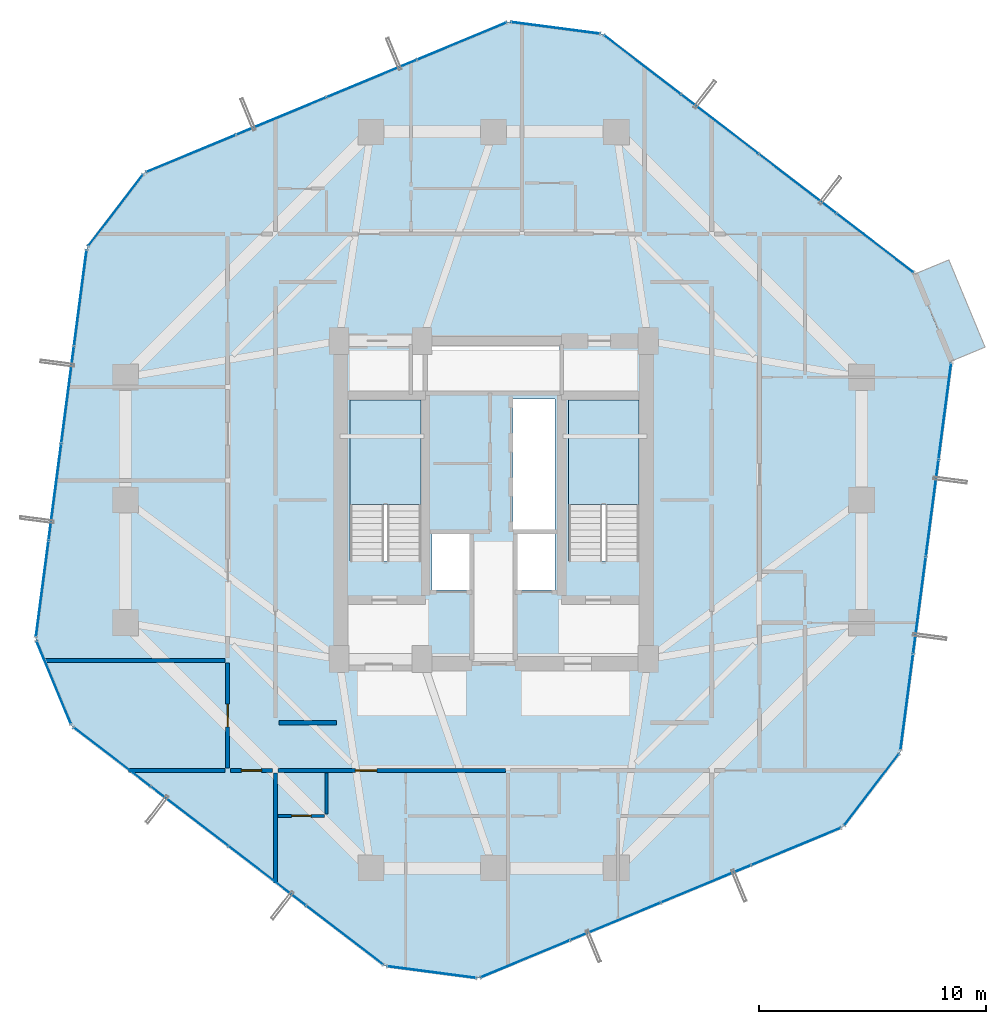
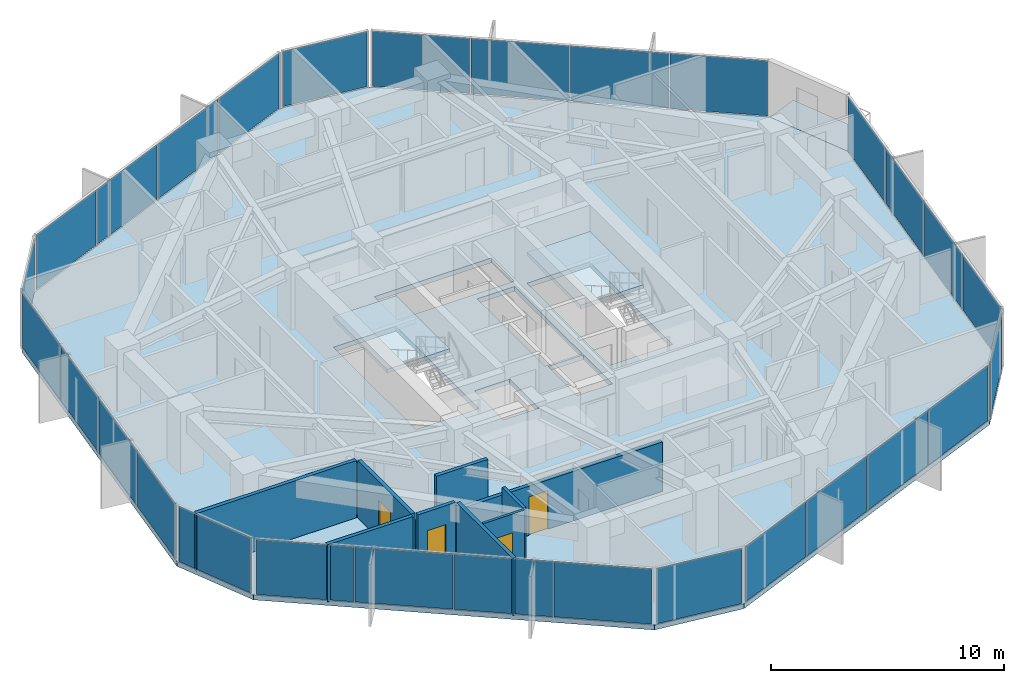
# One storey, part 24 of 30: 29 plates, 9 walls, 4 doors, 4 slabs, 4 openings, 13 elements without a shape of their own.
"""IFC4 building model written with IfcOpenShell, lengths in metres."""

from ifc_helpers import new_model, si_unit, direction, frame, frame_2d, origin, origin_2d, place, context, subcontext, project, spatial, polyline, rectangle, outline, extrude, source, transform, mapped, material, layer, layer_set, type_object, element, fill, aggregate, save


model = new_model("IFC4")

# Units and contexts
model_context = context("Model", 3, precision=1e-05, world=origin(), true_north=direction((0.0, 1.0)))
body_context = subcontext(model_context, "Body", "Model", "MODEL_VIEW")
ifc_project = project(units=[si_unit("LENGTHUNIT", "METRE"), si_unit("AREAUNIT", "SQUARE_METRE"), si_unit("VOLUMEUNIT", "CUBIC_METRE"), si_unit("PLANEANGLEUNIT", "RADIAN"), si_unit("MASSUNIT", "GRAM", prefix="KILO")], contexts=[model_context])

# Site, building, storey
site_placement = place(None, origin())
site = spatial("IfcSite", under=ifc_project, at=site_placement, CompositionType="ELEMENT")
building_placement = place(site_placement, origin())
building = spatial("IfcBuilding", under=site, at=building_placement, Name="Veraguas Prism Commons", CompositionType="ELEMENT")
storey_placement = place(building_placement, frame((0.0, 0.0, 102.449951171875)))
storey = spatial("IfcBuildingStorey", under=building, at=storey_placement, Name="L28", CompositionType="ELEMENT", Elevation=102.449951171875)

# Stair, slab
ifc_material_1 = material(Name="Precast concrete C45/55", Category="concrete")
stair_type = type_object("IfcStairType", Name="Dogleg Core Stair 1480W 20R 05", PredefinedType="HALF_TURN_STAIR", material=ifc_material_1)
stair_1_placement = place(storey_placement, origin())
stair_1 = element("IfcStair", 1, at=stair_1_placement, inside=storey, type_object=stair_type, Name="Protected Exit Stair ST-01 L28", PredefinedType="HALF_TURN_STAIR")
ifc_layer_1 = layer(ifc_material_1, 0.199951171875, Name="Precast Stair and Ramp Landing Slab 200", Category="concrete")
ifc_layer_set_1 = layer_set([ifc_layer_1], Name="Precast concrete C45/55")
slab_type_1 = type_object("IfcSlabType", Name="Precast Stair and Ramp Landing Slab 200", PredefinedType="LANDING", material=ifc_layer_set_1)
slab_1_placement = place(storey_placement, frame((0.0, 0.0, 1.425048828125)))
slab_1 = element("IfcSlab", 2, at=slab_1_placement, type_object=slab_type_1, Name="ST-05 Landing 1", PredefinedType="LANDING", context=body_context, shape_type="SweptSolid", body=[
    extrude(outline(polyline([(20.800048828125, 23.800048828125), (20.800048828125, 28.39990234375), (17.68994140625, 28.39990234375), (17.68994140625, 23.800048828125), (20.800048828125, 23.800048828125)])), origin(), (0.0, 0.0, 1.0), 0.199951171875),
])
aggregate(stair_1, [slab_1])

stair_2_placement = place(storey_placement, origin())
stair_2 = element("IfcStair", 3, at=stair_2_placement, inside=storey, type_object=stair_type, Name="Protected Exit Stair ST-02 L28", PredefinedType="HALF_TURN_STAIR")
slab_2_placement = place(storey_placement, frame((0.0, 0.0, 1.425048828125)))
slab_2 = element("IfcSlab", 4, at=slab_2_placement, type_object=slab_type_1, Name="ST-05 Landing 1", PredefinedType="LANDING", context=body_context, shape_type="SweptSolid", body=[
    extrude(outline(polyline([(30.39990234375, 23.800048828125), (30.39990234375, 28.39990234375), (27.2900390625, 28.39990234375), (27.2900390625, 23.800048828125), (30.39990234375, 23.800048828125)])), origin(), (0.0, 0.0, 1.0), 0.199951171875),
])
aggregate(stair_2, [slab_2])

# Slabs
ifc_material_2 = material(Name="Concrete C45/55", Category="concrete")
ifc_layer_2 = layer(ifc_material_2, 0.219970703125, Name="Recessed Loggia and Terrace Slab RC 220", Category="concrete")
ifc_layer_set_2 = layer_set([ifc_layer_2], Name="Concrete C45/55")
slab_type_2 = type_object("IfcSlabType", Name="Recessed Loggia and Terrace Slab RC 220", PredefinedType="FLOOR", material=ifc_layer_set_2)
slab_3_placement = place(storey_placement, frame((0.0, 0.0, -0.219970703125)))
element("IfcSlab", 5, at=slab_3_placement, inside=storey, type_object=slab_type_2, Name="Recessed Corner Loggia L28-C1", PredefinedType="FLOOR", context=body_context, shape_type="SweptSolid", body=[
    extrude(outline(polyline([(44.128173828125, 30.10546875), (45.62451171875, 30.7265625), (44.032470703125, 34.5625), (42.5361328125, 33.94140625), (44.128173828125, 30.10546875)])), origin(), (0.0, 0.0, 1.0), 0.219970703125),
])
ifc_layer_3 = layer(ifc_material_2, 0.25, Name="Tower Lower Residential Floor Slab RC 250", Category="concrete")
ifc_layer_set_3 = layer_set([ifc_layer_3], Name="Concrete C45/55")
slab_type_3 = type_object("IfcSlabType", Name="Tower Lower Residential Floor Slab RC 250", PredefinedType="FLOOR", material=ifc_layer_set_3)
slab_4_placement = place(storey_placement, frame((0.0, 0.0, -0.25)))
element("IfcSlab", 6, at=slab_4_placement, inside=storey, type_object=slab_type_3, Name="Tower Floor Slab L28", PredefinedType="FLOOR", context=body_context, shape_type="SweptSolid", body=[
    extrude(outline(polyline([(44.146728515625, 30.11328125), (42.5546875, 33.94921875), (28.779296875, 44.504150390625), (24.6611328125, 45.04345703125), (8.632568359375, 38.390869140625), (6.1064453125, 35.09423828125), (3.853271484375, 17.88671875), (5.4453125, 14.05078125), (19.220703125, 3.495849609375), (23.3388671875, 2.95654296875), (39.367431640625, 9.609130859375), (41.8935546875, 12.90576171875), (44.146728515625, 30.11328125)]), holes=[polyline([(20.800048828125, 21.31005859375), (20.800048828125, 28.39990234375), (17.68994140625, 28.39990234375), (17.68994140625, 21.31005859375), (20.800048828125, 21.31005859375)]), polyline([(30.39990234375, 21.31005859375), (30.39990234375, 28.39990234375), (27.2900390625, 28.39990234375), (27.2900390625, 21.31005859375), (30.39990234375, 21.31005859375)]), polyline([(24.85009765625, 22.64990234375), (26.699951171875, 22.64990234375), (26.699951171875, 28.449951171875), (24.85009765625, 28.449951171875), (24.85009765625, 22.64990234375)]), polyline([(21.10009765625, 28.800048828125), (26.89990234375, 28.800048828125), (26.89990234375, 30.800048828125), (21.10009765625, 30.800048828125), (21.10009765625, 28.800048828125)]), polyline([(21.300048828125, 20.050048828125), (23.050048828125, 20.050048828125), (23.050048828125, 22.550048828125), (21.300048828125, 22.550048828125), (21.300048828125, 20.050048828125)]), polyline([(24.949951171875, 20.050048828125), (26.699951171875, 20.050048828125), (26.699951171875, 22.550048828125), (24.949951171875, 22.550048828125), (24.949951171875, 20.050048828125)])]), origin(), (0.0, 0.0, 1.0), 0.25),
])

# Curtain wall, plates
ifc_material_3 = material(Name="Anodised aluminium EN AW-6063 T6", Category="aluminium")
ifc_layer_4 = layer(ifc_material_3, 0.169921875, Name="Unitised Flush Curtain Wall Zone 2", Category="aluminium")
ifc_layer_set_4 = layer_set([ifc_layer_4], Name="Anodised aluminium EN AW-6063 T6")
curtain_wall_type = type_object("IfcCurtainWallType", Name="Unitised Flush Curtain Wall Zone 2", PredefinedType="NOTDEFINED", material=ifc_layer_set_4)
curtain_wall_1_placement = place(storey_placement, origin())
curtain_wall_1 = element("IfcCurtainWall", 7, at=curtain_wall_1_placement, inside=storey, type_object=curtain_wall_type, Name="Tower Facade Curtain Wall L28-F1", PredefinedType="NOTDEFINED")
ifc_material_4 = material(Name="Laminated low-e glass", Category="glass")
ifc_layer_5 = layer(ifc_material_4, 0.028076171875, Name="Unitised Double Low-E Glazed Panel 28", Category="glass")
ifc_layer_set_5 = layer_set([ifc_layer_5], Name="Laminated low-e glass")
plate_type = type_object("IfcPlateType", Name="Unitised Double Low-E Glazed Panel 28", PredefinedType="CURTAIN_PANEL", material=ifc_layer_set_5)
shared_shape_1 = source(origin(), body_context, "Body", "SweptSolid", [
    extrude(rectangle(XDim=4.218505859375, YDim=0.028076171875, at=origin_2d()), origin(), (0.0, 0.0, 1.0), 2.889892578125),
])
plate_1_placement = place(storey_placement, frame((40.78515625, 35.304931640625, 0.05517578125), z_axis=(0.0, 0.0, 1.0), x_axis=(-0.793778142573, 0.608207415585, 0.0)))
plate_1 = element("IfcPlate", 8, at=plate_1_placement, type_object=plate_type, Name="CW-Z2 Panel 1.1", PredefinedType="CURTAIN_PANEL", context=body_context, shape_type="MappedRepresentation", body=[
    mapped(shared_shape_1, transform((0.0, 0.0, 0.0), scale=1.0)),
])
plate_2_placement = place(storey_placement, frame((30.548828125, 43.148193359375, 0.05517578125), z_axis=(0.0, 0.0, 1.0), x_axis=(-0.793778142573, 0.608207415585, 0.0)))
plate_2 = element("IfcPlate", 9, at=plate_2_placement, type_object=plate_type, Name="CW-Z2 Panel 4.1", PredefinedType="CURTAIN_PANEL", context=body_context, shape_type="MappedRepresentation", body=[
    mapped(shared_shape_1, transform((0.0, 0.0, 0.0), scale=1.0)),
])

curtain_wall_2_placement = place(storey_placement, origin())
curtain_wall_2 = element("IfcCurtainWall", 10, at=curtain_wall_2_placement, inside=storey, type_object=curtain_wall_type, Name="Tower Facade Curtain Wall L28-F2", PredefinedType="NOTDEFINED")
plate_3_placement = place(storey_placement, frame((22.602294921875, 44.188720703125, 0.05517578125), z_axis=(0.0, 0.0, 1.0), x_axis=(-0.92361080588, -0.383331552657, 0.0)))
plate_3 = element("IfcPlate", 11, at=plate_3_placement, type_object=plate_type, Name="CW-Z2 Panel 1.1", PredefinedType="CURTAIN_PANEL", context=body_context, shape_type="MappedRepresentation", body=[
    mapped(shared_shape_1, transform((0.0, 0.0, 0.0), scale=1.0)),
])
plate_4_placement = place(storey_placement, frame((10.69140625, 39.245361328125, 0.05517578125), z_axis=(0.0, 0.0, 1.0), x_axis=(-0.92361080588, -0.383331552657, 0.0)))
plate_4 = element("IfcPlate", 12, at=plate_4_placement, type_object=plate_type, Name="CW-Z2 Panel 4.1", PredefinedType="CURTAIN_PANEL", context=body_context, shape_type="MappedRepresentation", body=[
    mapped(shared_shape_1, transform((0.0, 0.0, 0.0), scale=1.0)),
])

curtain_wall_3_placement = place(storey_placement, origin())
curtain_wall_3 = element("IfcCurtainWall", 13, at=curtain_wall_3_placement, inside=storey, type_object=curtain_wall_type, Name="Tower Facade Curtain Wall L28-F3", PredefinedType="NOTDEFINED")
plate_5_placement = place(storey_placement, frame((5.817138671875, 32.8837890625, 0.05517578125), z_axis=(0.0, 0.0, 1.0), x_axis=(-0.129834001381, -0.99153574423, 0.0)))
plate_5 = element("IfcPlate", 14, at=plate_5_placement, type_object=plate_type, Name="CW-Z2 Panel 1.1", PredefinedType="CURTAIN_PANEL", context=body_context, shape_type="MappedRepresentation", body=[
    mapped(shared_shape_1, transform((0.0, 0.0, 0.0), scale=1.0)),
])
plate_6_placement = place(storey_placement, frame((4.142822265625, 20.09716796875, 0.05517578125), z_axis=(0.0, 0.0, 1.0), x_axis=(-0.129834001381, -0.99153574423, 0.0)))
plate_6 = element("IfcPlate", 15, at=plate_6_placement, type_object=plate_type, Name="CW-Z2 Panel 4.1", PredefinedType="CURTAIN_PANEL", context=body_context, shape_type="MappedRepresentation", body=[
    mapped(shared_shape_1, transform((0.0, 0.0, 0.0), scale=1.0)),
])

curtain_wall_4_placement = place(storey_placement, origin())
curtain_wall_4 = element("IfcCurtainWall", 16, at=curtain_wall_4_placement, inside=storey, type_object=curtain_wall_type, Name="Tower Facade Curtain Wall L28-F4", PredefinedType="NOTDEFINED")
plate_7_placement = place(storey_placement, frame((7.21484375, 12.695068359375, 0.05517578125), z_axis=(0.0, 0.0, 1.0), x_axis=(0.793778142573, -0.608207415585, 0.0)))
plate_7 = element("IfcPlate", 17, at=plate_7_placement, type_object=plate_type, Name="CW-Z2 Panel 1.1", PredefinedType="CURTAIN_PANEL", context=body_context, shape_type="MappedRepresentation", body=[
    mapped(shared_shape_1, transform((0.0, 0.0, 0.0), scale=1.0)),
])
plate_8_placement = place(storey_placement, frame((17.451171875, 4.851806640625, 0.05517578125), z_axis=(0.0, 0.0, 1.0), x_axis=(0.793778142573, -0.608207415585, 0.0)))
plate_8 = element("IfcPlate", 18, at=plate_8_placement, type_object=plate_type, Name="CW-Z2 Panel 4.1", PredefinedType="CURTAIN_PANEL", context=body_context, shape_type="MappedRepresentation", body=[
    mapped(shared_shape_1, transform((0.0, 0.0, 0.0), scale=1.0)),
])

curtain_wall_5_placement = place(storey_placement, origin())
curtain_wall_5 = element("IfcCurtainWall", 19, at=curtain_wall_5_placement, inside=storey, type_object=curtain_wall_type, Name="Tower Facade Curtain Wall L28-F5", PredefinedType="NOTDEFINED")
plate_9_placement = place(storey_placement, frame((25.397705078125, 3.811279296875, 0.05517578125), z_axis=(0.0, 0.0, 1.0), x_axis=(0.92361080588, 0.383331552657, 0.0)))
plate_9 = element("IfcPlate", 20, at=plate_9_placement, type_object=plate_type, Name="CW-Z2 Panel 1.1", PredefinedType="CURTAIN_PANEL", context=body_context, shape_type="MappedRepresentation", body=[
    mapped(shared_shape_1, transform((0.0, 0.0, 0.0), scale=1.0)),
])
plate_10_placement = place(storey_placement, frame((37.30859375, 8.754638671875, 0.05517578125), z_axis=(0.0, 0.0, 1.0), x_axis=(0.92361080588, 0.383331552657, 0.0)))
plate_10 = element("IfcPlate", 21, at=plate_10_placement, type_object=plate_type, Name="CW-Z2 Panel 4.1", PredefinedType="CURTAIN_PANEL", context=body_context, shape_type="MappedRepresentation", body=[
    mapped(shared_shape_1, transform((0.0, 0.0, 0.0), scale=1.0)),
])

curtain_wall_6_placement = place(storey_placement, origin())
curtain_wall_6 = element("IfcCurtainWall", 22, at=curtain_wall_6_placement, inside=storey, type_object=curtain_wall_type, Name="Tower Facade Curtain Wall L28-F6", PredefinedType="NOTDEFINED")
plate_11_placement = place(storey_placement, frame((42.182861328125, 15.1162109375, 0.05517578125), z_axis=(0.0, 0.0, 1.0), x_axis=(0.129834001381, 0.99153574423, 0.0)))
plate_11 = element("IfcPlate", 23, at=plate_11_placement, type_object=plate_type, Name="CW-Z2 Panel 1.1", PredefinedType="CURTAIN_PANEL", context=body_context, shape_type="MappedRepresentation", body=[
    mapped(shared_shape_1, transform((0.0, 0.0, 0.0), scale=1.0)),
])
plate_12_placement = place(storey_placement, frame((43.857177734375, 27.90283203125, 0.05517578125), z_axis=(0.0, 0.0, 1.0), x_axis=(0.129834001381, 0.99153574423, 0.0)))
plate_12 = element("IfcPlate", 24, at=plate_12_placement, type_object=plate_type, Name="CW-Z2 Panel 4.1", PredefinedType="CURTAIN_PANEL", context=body_context, shape_type="MappedRepresentation", body=[
    mapped(shared_shape_1, transform((0.0, 0.0, 0.0), scale=1.0)),
])

# Plate
shared_shape_2 = source(origin(), body_context, "Body", "SweptSolid", [
    extrude(rectangle(XDim=4.24853515625, YDim=0.028076171875, at=origin_2d()), origin(), (0.0, 0.0, 1.0), 2.889892578125),
])
plate_13_placement = place(storey_placement, frame((37.376953125, 37.91650390625, 0.05517578125), z_axis=(0.0, 0.0, 1.0), x_axis=(-0.793778142573, 0.608207415585, 0.0)))
plate_13 = element("IfcPlate", 25, at=plate_13_placement, type_object=plate_type, Name="CW-Z2 Panel 2.1", PredefinedType="CURTAIN_PANEL", context=body_context, shape_type="MappedRepresentation", body=[
    mapped(shared_shape_2, transform((0.0, 0.0, 0.0), scale=1.0)),
])

plate_14_placement = place(storey_placement, frame((33.95703125, 40.536865234375, 0.05517578125), z_axis=(0.0, 0.0, 1.0), x_axis=(-0.793778142573, 0.608207415585, 0.0)))
plate_14 = element("IfcPlate", 26, at=plate_14_placement, type_object=plate_type, Name="CW-Z2 Panel 3.1", PredefinedType="CURTAIN_PANEL", context=body_context, shape_type="MappedRepresentation", body=[
    mapped(shared_shape_2, transform((0.0, 0.0, 0.0), scale=1.0)),
])

aggregate(curtain_wall_1, [plate_1, plate_13, plate_14, plate_2])

plate_15_placement = place(storey_placement, frame((18.636474609375, 42.54296875, 0.05517578125), z_axis=(0.0, 0.0, 1.0), x_axis=(-0.92361080588, -0.383331552657, 0.0)))
plate_15 = element("IfcPlate", 27, at=plate_15_placement, type_object=plate_type, Name="CW-Z2 Panel 2.1", PredefinedType="CURTAIN_PANEL", context=body_context, shape_type="MappedRepresentation", body=[
    mapped(shared_shape_2, transform((0.0, 0.0, 0.0), scale=1.0)),
])

plate_16_placement = place(storey_placement, frame((14.6572265625, 40.891357421875, 0.05517578125), z_axis=(0.0, 0.0, 1.0), x_axis=(-0.92361080588, -0.383331552657, 0.0)))
plate_16 = element("IfcPlate", 28, at=plate_16_placement, type_object=plate_type, Name="CW-Z2 Panel 3.1", PredefinedType="CURTAIN_PANEL", context=body_context, shape_type="MappedRepresentation", body=[
    mapped(shared_shape_2, transform((0.0, 0.0, 0.0), scale=1.0)),
])

aggregate(curtain_wall_2, [plate_3, plate_15, plate_16, plate_4])

plate_17_placement = place(storey_placement, frame((5.259521484375, 28.626708984375, 0.05517578125), z_axis=(0.0, 0.0, 1.0), x_axis=(-0.129834001381, -0.99153574423, 0.0)))
plate_17 = element("IfcPlate", 29, at=plate_17_placement, type_object=plate_type, Name="CW-Z2 Panel 2.1", PredefinedType="CURTAIN_PANEL", context=body_context, shape_type="MappedRepresentation", body=[
    mapped(shared_shape_2, transform((0.0, 0.0, 0.0), scale=1.0)),
])

plate_18_placement = place(storey_placement, frame((4.7001953125, 24.3544921875, 0.05517578125), z_axis=(0.0, 0.0, 1.0), x_axis=(-0.129834001381, -0.99153574423, 0.0)))
plate_18 = element("IfcPlate", 30, at=plate_18_placement, type_object=plate_type, Name="CW-Z2 Panel 3.1", PredefinedType="CURTAIN_PANEL", context=body_context, shape_type="MappedRepresentation", body=[
    mapped(shared_shape_2, transform((0.0, 0.0, 0.0), scale=1.0)),
])

aggregate(curtain_wall_3, [plate_5, plate_17, plate_18, plate_6])

plate_19_placement = place(storey_placement, frame((10.623046875, 10.08349609375, 0.05517578125), z_axis=(0.0, 0.0, 1.0), x_axis=(0.793778142573, -0.608207415585, 0.0)))
plate_19 = element("IfcPlate", 31, at=plate_19_placement, type_object=plate_type, Name="CW-Z2 Panel 2.1", PredefinedType="CURTAIN_PANEL", context=body_context, shape_type="MappedRepresentation", body=[
    mapped(shared_shape_2, transform((0.0, 0.0, 0.0), scale=1.0)),
])

plate_20_placement = place(storey_placement, frame((14.04296875, 7.463134765625, 0.05517578125), z_axis=(0.0, 0.0, 1.0), x_axis=(0.793778142573, -0.608207415585, 0.0)))
plate_20 = element("IfcPlate", 32, at=plate_20_placement, type_object=plate_type, Name="CW-Z2 Panel 3.1", PredefinedType="CURTAIN_PANEL", context=body_context, shape_type="MappedRepresentation", body=[
    mapped(shared_shape_2, transform((0.0, 0.0, 0.0), scale=1.0)),
])

aggregate(curtain_wall_4, [plate_7, plate_19, plate_20, plate_8])

plate_21_placement = place(storey_placement, frame((29.363525390625, 5.45703125, 0.05517578125), z_axis=(0.0, 0.0, 1.0), x_axis=(0.92361080588, 0.383331552657, 0.0)))
plate_21 = element("IfcPlate", 33, at=plate_21_placement, type_object=plate_type, Name="CW-Z2 Panel 2.1", PredefinedType="CURTAIN_PANEL", context=body_context, shape_type="MappedRepresentation", body=[
    mapped(shared_shape_2, transform((0.0, 0.0, 0.0), scale=1.0)),
])

plate_22_placement = place(storey_placement, frame((33.3427734375, 7.108642578125, 0.05517578125), z_axis=(0.0, 0.0, 1.0), x_axis=(0.92361080588, 0.383331552657, 0.0)))
plate_22 = element("IfcPlate", 34, at=plate_22_placement, type_object=plate_type, Name="CW-Z2 Panel 3.1", PredefinedType="CURTAIN_PANEL", context=body_context, shape_type="MappedRepresentation", body=[
    mapped(shared_shape_2, transform((0.0, 0.0, 0.0), scale=1.0)),
])

aggregate(curtain_wall_5, [plate_9, plate_21, plate_22, plate_10])

plate_23_placement = place(storey_placement, frame((42.740478515625, 19.373291015625, 0.05517578125), z_axis=(0.0, 0.0, 1.0), x_axis=(0.129834001381, 0.99153574423, 0.0)))
plate_23 = element("IfcPlate", 35, at=plate_23_placement, type_object=plate_type, Name="CW-Z2 Panel 2.1", PredefinedType="CURTAIN_PANEL", context=body_context, shape_type="MappedRepresentation", body=[
    mapped(shared_shape_2, transform((0.0, 0.0, 0.0), scale=1.0)),
])

plate_24_placement = place(storey_placement, frame((43.2998046875, 23.6455078125, 0.05517578125), z_axis=(0.0, 0.0, 1.0), x_axis=(0.129834001381, 0.99153574423, 0.0)))
plate_24 = element("IfcPlate", 36, at=plate_24_placement, type_object=plate_type, Name="CW-Z2 Panel 3.1", PredefinedType="CURTAIN_PANEL", context=body_context, shape_type="MappedRepresentation", body=[
    mapped(shared_shape_2, transform((0.0, 0.0, 0.0), scale=1.0)),
])

aggregate(curtain_wall_6, [plate_11, plate_23, plate_24, plate_12])

# Curtain wall, plate
curtain_wall_7_placement = place(storey_placement, origin())
curtain_wall_7 = element("IfcCurtainWall", 37, at=curtain_wall_7_placement, inside=storey, type_object=curtain_wall_type, Name="Chamfer Curtain Wall L28-C2", PredefinedType="NOTDEFINED")
shared_shape_3 = source(origin(), body_context, "Body", "SweptSolid", [
    extrude(rectangle(XDim=3.9130859375, YDim=0.028076171875, at=origin_2d()), origin(), (0.0, 0.0, 1.0), 2.889892578125),
])
plate_25_placement = place(storey_placement, frame((26.72021484375, 44.773681640625, 0.05517578125), z_axis=(0.0, 0.0, 1.0), x_axis=(-0.991536877208, 0.129825348594, 0.0)))
plate_25 = element("IfcPlate", 38, at=plate_25_placement, type_object=plate_type, Name="CW-Z2 Panel 1.1", PredefinedType="CURTAIN_PANEL", context=body_context, shape_type="MappedRepresentation", body=[
    mapped(shared_shape_3, transform((0.0, 0.0, 0.0), scale=1.0)),
])
aggregate(curtain_wall_7, [plate_25])

curtain_wall_8_placement = place(storey_placement, origin())
curtain_wall_8 = element("IfcCurtainWall", 39, at=curtain_wall_8_placement, inside=storey, type_object=curtain_wall_type, Name="Chamfer Curtain Wall L28-C3", PredefinedType="NOTDEFINED")
plate_26_placement = place(storey_placement, frame((7.369384765625, 36.74267578125, 0.05517578125), z_axis=(0.0, 0.0, 1.0), x_axis=(-0.60821157179, -0.793774957996, 0.0)))
plate_26 = element("IfcPlate", 40, at=plate_26_placement, type_object=plate_type, Name="CW-Z2 Panel 1.1", PredefinedType="CURTAIN_PANEL", context=body_context, shape_type="MappedRepresentation", body=[
    mapped(shared_shape_3, transform((0.0, 0.0, 0.0), scale=1.0)),
])
aggregate(curtain_wall_8, [plate_26])

curtain_wall_9_placement = place(storey_placement, origin())
curtain_wall_9 = element("IfcCurtainWall", 41, at=curtain_wall_9_placement, inside=storey, type_object=curtain_wall_type, Name="Chamfer Curtain Wall L28-C4", PredefinedType="NOTDEFINED")
plate_27_placement = place(storey_placement, frame((4.6494140625, 15.96875, 0.05517578125), z_axis=(0.0, 0.0, 1.0), x_axis=(0.383320268593, -0.923615489089, 0.0)))
plate_27 = element("IfcPlate", 42, at=plate_27_placement, type_object=plate_type, Name="CW-Z2 Panel 1.1", PredefinedType="CURTAIN_PANEL", context=body_context, shape_type="MappedRepresentation", body=[
    mapped(shared_shape_3, transform((0.0, 0.0, 0.0), scale=1.0)),
])
aggregate(curtain_wall_9, [plate_27])

curtain_wall_10_placement = place(storey_placement, origin())
curtain_wall_10 = element("IfcCurtainWall", 43, at=curtain_wall_10_placement, inside=storey, type_object=curtain_wall_type, Name="Chamfer Curtain Wall L28-C5", PredefinedType="NOTDEFINED")
plate_28_placement = place(storey_placement, frame((21.27978515625, 3.226318359375, 0.05517578125), z_axis=(0.0, 0.0, 1.0), x_axis=(0.991536877208, -0.129825348594, 0.0)))
plate_28 = element("IfcPlate", 44, at=plate_28_placement, type_object=plate_type, Name="CW-Z2 Panel 1.1", PredefinedType="CURTAIN_PANEL", context=body_context, shape_type="MappedRepresentation", body=[
    mapped(shared_shape_3, transform((0.0, 0.0, 0.0), scale=1.0)),
])
aggregate(curtain_wall_10, [plate_28])

curtain_wall_11_placement = place(storey_placement, origin())
curtain_wall_11 = element("IfcCurtainWall", 45, at=curtain_wall_11_placement, inside=storey, type_object=curtain_wall_type, Name="Chamfer Curtain Wall L28-C6", PredefinedType="NOTDEFINED")
plate_29_placement = place(storey_placement, frame((40.630615234375, 11.25732421875, 0.05517578125), z_axis=(0.0, 0.0, 1.0), x_axis=(0.60821157179, 0.793774957996, 0.0)))
plate_29 = element("IfcPlate", 46, at=plate_29_placement, type_object=plate_type, Name="CW-Z2 Panel 1.1", PredefinedType="CURTAIN_PANEL", context=body_context, shape_type="MappedRepresentation", body=[
    mapped(shared_shape_3, transform((0.0, 0.0, 0.0), scale=1.0)),
])
aggregate(curtain_wall_11, [plate_29])

# Walls
ifc_material_5 = material(Name="Autoclaved aerated masonry block 10 MPa", Category="masonry")
ifc_layer_6 = layer(ifc_material_5, 0.179931640625, Name="Corridor and Inter-Tenancy Partition 180", Category="masonry")
ifc_layer_set_6 = layer_set([ifc_layer_6], Name="Autoclaved aerated masonry block 10 MPa")
wall_type_1 = type_object("IfcWallType", Name="Corridor and Inter-Tenancy Partition 180", PredefinedType="PARTITIONING", material=ifc_layer_set_6)
wall_1_placement = place(storey_placement, frame((14.550048828125, 14.199951171875, 0.0), z_axis=(0.0, 0.0, 1.0), x_axis=(1.0, 0.0, 0.0)))
element("IfcWall", 47, at=wall_1_placement, inside=storey, type_object=wall_type_1, Name="WL-L28-IRWS", PredefinedType="PARTITIONING", context=body_context, shape_type="SweptSolid", body=[
    extrude(rectangle(XDim=2.550048828125, YDim=0.179931640625, at=frame_2d((1.27490234375, 0.0))), origin(), (0.0, 0.0, 1.0), 3.0),
])
wall_2_placement = place(storey_placement, frame((14.39990234375, 11.97998046875, 0.0), z_axis=(0.0, 0.0, 1.0), x_axis=(0.0, -1.0, 0.0)))
element("IfcWall", 48, at=wall_2_placement, inside=storey, type_object=wall_type_1, Name="WL-L28-PT001", PredefinedType="PARTITIONING", context=body_context, shape_type="SweptSolid", body=[
    extrude(rectangle(XDim=4.828125, YDim=0.179931640625, at=frame_2d((2.4140625, 0.0))), origin(), (0.0, 0.0, 1.0), 3.0),
])

# Wall, opening, door
wall_3_placement = place(storey_placement, frame((14.510009765625, 12.10009765625, 0.0), z_axis=(0.0, 0.0, 1.0), x_axis=(1.0, 0.0, 0.0)))
wall_3 = element("IfcWall", 49, at=wall_3_placement, inside=storey, type_object=wall_type_1, Name="WL-L28-PT003", PredefinedType="PARTITIONING", context=body_context, shape_type="SweptSolid", body=[
    extrude(rectangle(XDim=10.02392578125, YDim=0.179931640625, at=frame_2d((5.011962890625, 0.0))), origin(), (0.0, 0.0, 1.0), 2.580078125),
])
opening_1_placement = place(wall_3_placement, frame((3.408447265625, 0.0, 0.0)))
opening_1 = element("IfcOpeningElement", 50, at=opening_1_placement, cuts=wall_3, Name="Opening DR-01", PredefinedType="OPENING", context=body_context, shape_type="SweptSolid", body=[
    extrude(rectangle(XDim=0.949951171875, YDim=2.02001953125, at=frame_2d((0.47509765625, 1.010009765625))), frame((0.0, 0.099853515625, 0.0), z_axis=(0.0, -1.0, 0.0), x_axis=(1.0, 0.0, 0.0)), (0.0, 0.0, 1.0), 0.199951171875),
])
door_type_1 = type_object("IfcDoorType", Name="Apartment Entrance Fire Door 950x2020", OperationType="NOTDEFINED", PredefinedType="DOOR", material=ifc_material_3)
shared_shape_4 = source(origin(), body_context, "Body", "SweptSolid", [
    extrude(rectangle(XDim=0.949951171875, YDim=2.02001953125, at=frame_2d((0.47509765625, 1.010009765625))), frame((0.0, 0.02490234375, 0.0), z_axis=(0.0, -1.0, 0.0), x_axis=(1.0, 0.0, 0.0)), (0.0, 0.0, 1.0), 0.050048828125),
])
door_1_placement = place(opening_1_placement, origin())
door_1 = element("IfcDoor", 51, at=door_1_placement, inside=storey, type_object=door_type_1, Name="Flat 28A Entrance Door", OperationType="SINGLE_SWING_RIGHT", OverallHeight=2.02001953125, OverallWidth=0.949951171875, PredefinedType="DOOR", context=body_context, shape_type="MappedRepresentation", body=[
    mapped(shared_shape_4, transform((0.0, 0.0, 0.0), scale=1.0)),
])
fill(opening_1, door_1)

# Wall
wall_4_placement = place(storey_placement, frame((12.179931640625, 12.10009765625, 0.0), z_axis=(0.0, 0.0, 1.0), x_axis=(-1.0, 0.0, 0.0)))
element("IfcWall", 52, at=wall_4_placement, inside=storey, type_object=wall_type_1, Name="WL-L28-PT030", PredefinedType="PARTITIONING", context=body_context, shape_type="SweptSolid", body=[
    extrude(rectangle(XDim=4.23779296875, YDim=0.179931640625, at=frame_2d((2.118896484375, 0.0))), origin(), (0.0, 0.0, 1.0), 3.0),
])

# Wall, opening, door
wall_5_placement = place(storey_placement, frame((12.300048828125, 12.2099609375, 0.0), z_axis=(0.0, 0.0, 1.0), x_axis=(0.0, 1.0, 0.0)))
wall_5 = element("IfcWall", 53, at=wall_5_placement, inside=storey, type_object=wall_type_1, Name="WL-L28-PT032", PredefinedType="PARTITIONING", context=body_context, shape_type="SweptSolid", body=[
    extrude(rectangle(XDim=4.6259765625, YDim=0.179931640625, at=frame_2d((2.31298828125, 0.0))), origin(), (0.0, 0.0, 1.0), 3.0),
])
opening_2_placement = place(wall_5_placement, frame((1.81298828125, 0.0, 0.0)))
opening_2 = element("IfcOpeningElement", 54, at=opening_2_placement, cuts=wall_5, Name="Opening DR-13", PredefinedType="OPENING", context=body_context, shape_type="SweptSolid", body=[
    extrude(rectangle(XDim=1.0, YDim=2.010009765625, at=frame_2d((0.5, 1.0048828125))), frame((0.0, 0.099853515625, 0.0), z_axis=(0.0, -1.0, 0.0), x_axis=(1.0, 0.0, 0.0)), (0.0, 0.0, 1.0), 0.199951171875),
])
ifc_material_6 = material(Name="Steel fire-rated door assembly", Category="steel")
door_type_2 = type_object("IfcDoorType", Name="Core Accessible WC and Clinic Fire Door 1000x2010", OperationType="NOTDEFINED", PredefinedType="DOOR", material=ifc_material_6)
shared_shape_5 = source(origin(), body_context, "Body", "SweptSolid", [
    extrude(rectangle(XDim=1.0, YDim=2.010009765625, at=frame_2d((0.5, 1.0048828125))), frame((0.0, 0.02490234375, 0.0), z_axis=(0.0, -1.0, 0.0), x_axis=(1.0, 0.0, 0.0)), (0.0, 0.0, 1.0), 0.050048828125),
])
door_2_placement = place(opening_2_placement, origin())
door_2 = element("IfcDoor", 55, at=door_2_placement, inside=storey, type_object=door_type_2, Name="Residents Study Room Door", OperationType="SINGLE_SWING_LEFT", OverallHeight=2.010009765625, OverallWidth=1.0, PredefinedType="DOOR", context=body_context, shape_type="MappedRepresentation", body=[
    mapped(shared_shape_5, transform((0.0, 0.0, 0.0), scale=1.0)),
])
fill(opening_2, door_2)

# Wall
wall_6_placement = place(storey_placement, frame((12.179931640625, 16.946044921875, 0.0), z_axis=(0.0, 0.0, 1.0), x_axis=(-1.0, 0.0, 0.0)))
element("IfcWall", 56, at=wall_6_placement, inside=storey, type_object=wall_type_1, Name="WL-L28-PT034", PredefinedType="PARTITIONING", context=body_context, shape_type="SweptSolid", body=[
    extrude(rectangle(XDim=7.96875, YDim=0.179931640625, at=frame_2d((3.984375, 0.0))), origin(), (0.0, 0.0, 1.0), 3.0),
])

# Wall, opening, door
wall_7_placement = place(storey_placement, frame((12.419921875, 12.10009765625, 0.0), z_axis=(0.0, 0.0, 1.0), x_axis=(1.0, 0.0, 0.0)))
wall_7 = element("IfcWall", 57, at=wall_7_placement, inside=storey, type_object=wall_type_1, Name="WL-L28-PT051", PredefinedType="PARTITIONING", context=body_context, shape_type="SweptSolid", body=[
    extrude(rectangle(XDim=1.860107421875, YDim=0.179931640625, at=frame_2d((0.93017578125, 0.0))), origin(), (0.0, 0.0, 1.0), 3.0),
])
opening_3_placement = place(wall_7_placement, frame((0.47998046875, 0.0, 0.0)))
opening_3 = element("IfcOpeningElement", 58, at=opening_3_placement, cuts=wall_7, Name="Opening DR-14", PredefinedType="OPENING", context=body_context, shape_type="SweptSolid", body=[
    extrude(rectangle(XDim=0.89990234375, YDim=2.010009765625, at=frame_2d((0.449951171875, 1.0048828125))), frame((0.0, 0.099853515625, 0.0), z_axis=(0.0, -1.0, 0.0), x_axis=(1.0, 0.0, 0.0)), (0.0, 0.0, 1.0), 0.199951171875),
])
door_type_3 = type_object("IfcDoorType", Name="Core Service Room Fire Door 900x2010", OperationType="NOTDEFINED", PredefinedType="DOOR", material=ifc_material_6)
shared_shape_6 = source(origin(), body_context, "Body", "SweptSolid", [
    extrude(rectangle(XDim=0.89990234375, YDim=2.010009765625, at=frame_2d((0.449951171875, 1.0048828125))), frame((0.0, 0.02490234375, 0.0), z_axis=(0.0, -1.0, 0.0), x_axis=(1.0, 0.0, 0.0)), (0.0, 0.0, 1.0), 0.050048828125),
])
door_3_placement = place(opening_3_placement, origin())
door_3 = element("IfcDoor", 59, at=door_3_placement, inside=storey, type_object=door_type_3, Name="Residents Corner Study Room SW Door", OperationType="SINGLE_SWING_LEFT", OverallHeight=2.010009765625, OverallWidth=0.89990234375, PredefinedType="DOOR", context=body_context, shape_type="MappedRepresentation", body=[
    mapped(shared_shape_6, transform((0.0, 0.0, 0.0), scale=1.0)),
])
fill(opening_3, door_3)

ifc_material_7 = material(Name="Lightweight acoustic gypsum board")
ifc_layer_7 = layer(ifc_material_7, 0.125, Name="Internal Apartment Room Partition 125")
ifc_layer_set_7 = layer_set([ifc_layer_7], Name="Lightweight acoustic gypsum board")
wall_type_2 = type_object("IfcWallType", Name="Internal Apartment Room Partition 125", PredefinedType="PARTITIONING", material=ifc_layer_set_7)
wall_8_placement = place(storey_placement, frame((14.52001953125, 10.10009765625, 0.0), z_axis=(0.0, 0.0, 1.0), x_axis=(1.0, 0.0, 0.0)))
wall_8 = element("IfcWall", 60, at=wall_8_placement, inside=storey, type_object=wall_type_2, Name="WL-L28-PT005", PredefinedType="PARTITIONING", context=body_context, shape_type="SweptSolid", body=[
    extrude(rectangle(XDim=2.050048828125, YDim=0.125, at=frame_2d((1.02490234375, 0.0))), origin(), (0.0, 0.0, 1.0), 3.0),
])
opening_4_placement = place(wall_8_placement, frame((0.594970703125, 0.0, 0.0)))
opening_4 = element("IfcOpeningElement", 61, at=opening_4_placement, cuts=wall_8, Name="Opening DR-03", PredefinedType="OPENING", context=body_context, shape_type="SweptSolid", body=[
    extrude(rectangle(XDim=0.860107421875, YDim=2.010009765625, at=frame_2d((0.43017578125, 1.0048828125))), frame((0.0, 0.072509765625, 0.0), z_axis=(0.0, -1.0, 0.0), x_axis=(1.0, 0.0, 0.0)), (0.0, 0.0, 1.0), 0.14501953125),
])
ifc_material_8 = material(Name="Timber moisture-resistant leaf", Category="wood")
door_type_4 = type_object("IfcDoorType", Name="Internal Bathroom Door 860x2010", OperationType="NOTDEFINED", PredefinedType="DOOR", material=ifc_material_8)
shared_shape_7 = source(origin(), body_context, "Body", "SweptSolid", [
    extrude(rectangle(XDim=0.860107421875, YDim=2.010009765625, at=frame_2d((0.43017578125, 1.0048828125))), frame((0.0, 0.02490234375, 0.0), z_axis=(0.0, -1.0, 0.0), x_axis=(1.0, 0.0, 0.0)), (0.0, 0.0, 1.0), 0.050048828125),
])
door_4_placement = place(opening_4_placement, origin())
door_4 = element("IfcDoor", 62, at=door_4_placement, inside=storey, type_object=door_type_4, Name="Flat 28A Bathroom Door", OperationType="SINGLE_SWING_LEFT", OverallHeight=2.010009765625, OverallWidth=0.860107421875, PredefinedType="DOOR", context=body_context, shape_type="MappedRepresentation", body=[
    mapped(shared_shape_7, transform((0.0, 0.0, 0.0), scale=1.0)),
])
fill(opening_4, door_4)

# Wall
ifc_layer_8 = layer(ifc_material_7, 0.14990234375, Name="Wet Room and Clinic Acoustic Partition 150")
ifc_layer_set_8 = layer_set([ifc_layer_8], Name="Lightweight acoustic gypsum board")
wall_type_3 = type_object("IfcWallType", Name="Wet Room and Clinic Acoustic Partition 150", PredefinedType="PARTITIONING", material=ifc_layer_set_8)
wall_9_placement = place(storey_placement, frame((16.64990234375, 11.97998046875, 0.0), z_axis=(0.0, 0.0, 1.0), x_axis=(0.0, -1.0, 0.0)))
element("IfcWall", 63, at=wall_9_placement, inside=storey, type_object=wall_type_3, Name="WL-L28-PT004", PredefinedType="PARTITIONING", context=body_context, shape_type="SweptSolid", body=[
    extrude(rectangle(XDim=1.800048828125, YDim=0.14990234375, at=frame_2d((0.89990234375, 0.0))), origin(), (0.0, 0.0, 1.0), 3.0),
])

save(model, "model.ifc")
